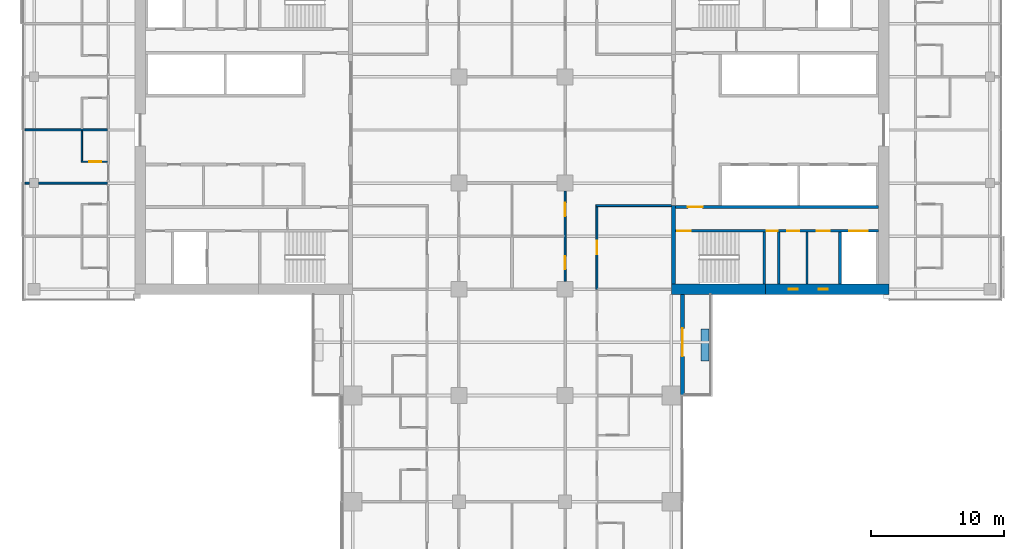
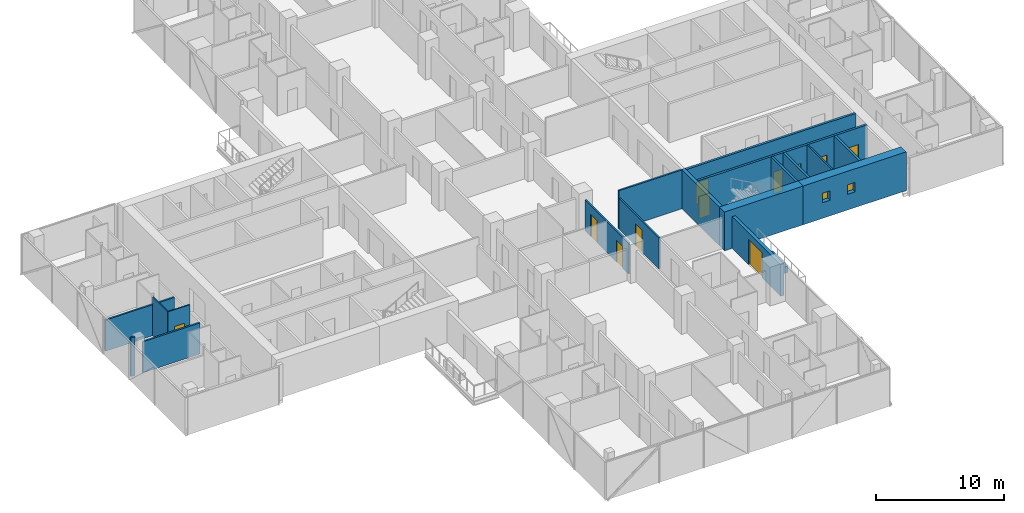
# One storey, part 17 of 27: 20 walls, 11 doors, 2 windows, 13 openings.
"""IFC4 building model written with IfcOpenShell, lengths in metres."""

from ifc_helpers import new_model, si_unit, direction, frame, frame_2d, origin, place, context, subcontext, project, spatial, rectangle, extrude, material, layer, layer_set, constituent, constituent_set, type_object, element, fill, save


model = new_model("IFC4")

# Units and contexts
model_context = context("Model", 3, precision=1e-05, world=origin(), true_north=direction((0.0, 1.0)))
body_context = subcontext(model_context, "Body", "Model", "MODEL_VIEW")
ifc_project = project(units=[si_unit("LENGTHUNIT", "METRE"), si_unit("AREAUNIT", "SQUARE_METRE"), si_unit("VOLUMEUNIT", "CUBIC_METRE"), si_unit("PLANEANGLEUNIT", "RADIAN"), si_unit("MASSUNIT", "GRAM", prefix="KILO")], contexts=[model_context])

# Site, building, storey
site_placement = place(None, origin())
site = spatial("IfcSite", under=ifc_project, at=site_placement, CompositionType="ELEMENT")
building_placement = place(site_placement, origin())
building = spatial("IfcBuilding", under=site, at=building_placement, Name="Crosswind Convention Tower", CompositionType="ELEMENT")
storey_placement = place(building_placement, frame((0.0, 0.0, 72.0)))
storey = spatial("IfcBuildingStorey", under=building, at=storey_placement, Name="L12", CompositionType="ELEMENT", Elevation=72.0)

# Walls
ifc_material_1 = material(Name="Concrete blockwork", Category="masonry")
ifc_layer_1 = layer(ifc_material_1, 0.199951171875)
ifc_layer_set_1 = layer_set([ifc_layer_1], Name="Blockwork partition wall 200")
wall_type_1 = type_object("IfcWallType", Name="Blockwork partition wall 200", PredefinedType="PARTITIONING", material=ifc_layer_set_1)
wall_1_placement = place(storey_placement, frame((145.10009765625, 88.39990234375, 0.0), z_axis=(0.0, 0.0, 1.0), x_axis=(0.0, 1.0, 0.0)))
element("IfcWall", 1, at=wall_1_placement, inside=storey, type_object=wall_type_1, Name="Wall MRSE E L12", PredefinedType="PARTITIONING", context=body_context, shape_type="SweptSolid", body=[
    extrude(rectangle(XDim=3.900146484375, YDim=0.199951171875, at=frame_2d((1.9501953125, 0.0))), origin(), (0.0, 0.0, 1.0), 3.699951171875),
])
ifc_material_2 = material(Name="Plasterboard partition", Category="gypsum")
ifc_layer_2 = layer(ifc_material_2, 0.14990234375)
ifc_layer_set_2 = layer_set([ifc_layer_2], Name="CORRIDOR WALL 150")
wall_type_2 = type_object("IfcWallType", Name="CORRIDOR WALL 150", PredefinedType="PARTITIONING", material=ifc_layer_set_2)
wall_2_placement = place(storey_placement, frame((131.324951171875, 94.300048828125, 0.0), z_axis=(0.0, 0.0, 1.0), x_axis=(1.0, 0.0, 0.0)))
element("IfcWall", 2, at=wall_2_placement, inside=storey, type_object=wall_type_2, Name="Corridor Wall 26", PredefinedType="PARTITIONING", context=body_context, shape_type="SweptSolid", body=[
    extrude(rectangle(XDim=5.675048828125, YDim=0.14990234375, at=frame_2d((2.83740234375, 0.0))), origin(), (0.0, 0.0, 1.0), 3.699951171875),
])

# Wall, openings, doors
wall_3_placement = place(storey_placement, frame((129.0, 88.60009765625, 0.0), z_axis=(0.0, 0.0, 1.0), x_axis=(0.0, 1.0, 0.0)))
wall_3 = element("IfcWall", 3, at=wall_3_placement, inside=storey, type_object=wall_type_2, Name="Corridor Wall 108", PredefinedType="PARTITIONING", context=body_context, shape_type="SweptSolid", body=[
    extrude(rectangle(XDim=6.7998046875, YDim=0.14990234375, at=frame_2d((3.39990234375, 0.0))), origin(), (0.0, 0.0, 1.0), 2.959716796875),
])
opening_1_placement = place(wall_3_placement, frame((0.89990234375, 0.0, 0.0)))
opening_1 = element("IfcOpeningElement", 4, at=opening_1_placement, cuts=wall_3, Name="Opening 12.062", PredefinedType="OPENING", context=body_context, shape_type="SweptSolid", body=[
    extrude(rectangle(XDim=1.0, YDim=2.10009765625, at=frame_2d((0.5, 1.050048828125))), frame((0.0, 0.0849609375, 0.0), z_axis=(0.0, -1.0, 0.0), x_axis=(1.0, 0.0, 0.0)), (0.0, 0.0, 1.0), 0.169921875),
])
opening_2_placement = place(wall_3_placement, frame((4.89990234375, 0.0, 0.0)))
opening_2 = element("IfcOpeningElement", 5, at=opening_2_placement, cuts=wall_3, Name="Opening 12.063", PredefinedType="OPENING", context=body_context, shape_type="SweptSolid", body=[
    extrude(rectangle(XDim=1.0, YDim=2.10009765625, at=frame_2d((0.5, 1.050048828125))), frame((0.0, 0.0849609375, 0.0), z_axis=(0.0, -1.0, 0.0), x_axis=(1.0, 0.0, 0.0)), (0.0, 0.0, 1.0), 0.169921875),
])
ifc_material_3 = material(Name="Timber fire door", Category="wood")
door_type_1 = type_object("IfcDoorType", Name="SERVICE ROOM DOOR 1000X2100", OperationType="NOTDEFINED", PredefinedType="DOOR", material=ifc_material_3)
door_1_placement = place(opening_1_placement, origin())
door_1 = element("IfcDoor", 6, at=door_1_placement, inside=storey, type_object=door_type_1, Name="Door 12.062", ObjectType="D3", OperationType="SINGLE_SWING_LEFT", OverallHeight=2.10009765625, OverallWidth=1.0, PredefinedType="DOOR", context=body_context, shape_type="SweptSolid", body=[
    extrude(rectangle(XDim=1.0, YDim=2.10009765625, at=frame_2d((0.5, 1.050048828125))), frame((0.0, 0.02490234375, 0.0), z_axis=(0.0, -1.0, 0.0), x_axis=(1.0, 0.0, 0.0)), (0.0, 0.0, 1.0), 0.050048828125),
])
fill(opening_1, door_1)
door_2_placement = place(opening_2_placement, origin())
door_2 = element("IfcDoor", 7, at=door_2_placement, inside=storey, type_object=door_type_1, Name="Door 12.063", ObjectType="D3", OperationType="SINGLE_SWING_RIGHT", OverallHeight=2.10009765625, OverallWidth=1.0, PredefinedType="DOOR", context=body_context, shape_type="SweptSolid", body=[
    extrude(rectangle(XDim=1.0, YDim=2.10009765625, at=frame_2d((0.5, 1.050048828125))), frame((0.0, 0.02490234375, 0.0), z_axis=(0.0, -1.0, 0.0), x_axis=(1.0, 0.0, 0.0)), (0.0, 0.0, 1.0), 0.050048828125),
])
fill(opening_2, door_2)

# Wall, opening, door
wall_4_placement = place(storey_placement, frame((131.39990234375, 88.0, 0.0), z_axis=(0.0, 0.0, 1.0), x_axis=(0.0, 1.0, 0.0)))
wall_4 = element("IfcWall", 8, at=wall_4_placement, inside=storey, type_object=wall_type_2, Name="Corridor Wall 116", PredefinedType="PARTITIONING", context=body_context, shape_type="SweptSolid", body=[
    extrude(rectangle(XDim=6.22509765625, YDim=0.14990234375, at=frame_2d((3.112548828125, 0.0))), origin(), (0.0, 0.0, 1.0), 2.956298828125),
])
opening_3_placement = place(wall_4_placement, frame((2.64990234375, 0.0, 0.0)))
opening_3 = element("IfcOpeningElement", 9, at=opening_3_placement, cuts=wall_4, Name="Opening 12.002", PredefinedType="OPENING", context=body_context, shape_type="SweptSolid", body=[
    extrude(rectangle(XDim=1.0, YDim=2.10009765625, at=frame_2d((0.5, 1.050048828125))), frame((0.0, 0.0849609375, 0.0), z_axis=(0.0, -1.0, 0.0), x_axis=(1.0, 0.0, 0.0)), (0.0, 0.0, 1.0), 0.169921875),
])
door_3_placement = place(opening_3_placement, frame((1.0, 0.0, 0.0), z_axis=(0.0, 0.0, 1.0), x_axis=(-1.0, 0.0, 0.0)))
door_3 = element("IfcDoor", 10, at=door_3_placement, inside=storey, type_object=door_type_1, Name="Door 12.002", ObjectType="D3", OperationType="SINGLE_SWING_LEFT", OverallHeight=2.10009765625, OverallWidth=1.0, PredefinedType="DOOR", context=body_context, shape_type="SweptSolid", body=[
    extrude(rectangle(XDim=1.0, YDim=2.10009765625, at=frame_2d((0.5, 1.050048828125))), frame((0.0, 0.02490234375, 0.0), z_axis=(0.0, -1.0, 0.0), x_axis=(1.0, 0.0, 0.0)), (0.0, 0.0, 1.0), 0.050048828125),
])
fill(opening_3, door_3)

# Wall
ifc_material_4 = material(Name="Concrete C50/60", Category="concrete")
ifc_layer_3 = layer(ifc_material_4, 0.300048828125)
ifc_layer_set_3 = layer_set([ifc_layer_3], Name="Concrete C50/60")
wall_type_3 = type_object("IfcWallType", Name="Concrete inner core wall 300", PredefinedType="SHEAR", material=ifc_layer_set_3)
wall_5_placement = place(storey_placement, frame((137.14990234375, 88.39990234375, 0.0), z_axis=(0.0, 0.0, 1.0), x_axis=(0.0, 1.0, 0.0)))
element("IfcWall", 11, at=wall_5_placement, inside=storey, type_object=wall_type_3, Name="Wall EM E L12", PredefinedType="SHEAR", context=body_context, shape_type="SweptSolid", body=[
    extrude(rectangle(XDim=5.900146484375, YDim=0.300048828125, at=frame_2d((2.9501953125, 0.0))), origin(), (0.0, 0.0, 1.0), 3.699951171875),
])

# Wall, opening, door
ifc_layer_4 = layer(ifc_material_4, 0.199951171875)
ifc_layer_set_4 = layer_set([ifc_layer_4], Name="Concrete C50/60")
wall_type_4 = type_object("IfcWallType", Name="Concrete shaft and stair wall 200", PredefinedType="SHEAR", material=ifc_layer_set_4)
wall_6_placement = place(storey_placement, frame((137.300048828125, 94.199951171875, 0.0), z_axis=(0.0, 0.0, 1.0), x_axis=(1.0, 0.0, 0.0)))
wall_6 = element("IfcWall", 12, at=wall_6_placement, inside=storey, type_object=wall_type_4, Name="Wall HM E L12", PredefinedType="SHEAR", context=body_context, shape_type="SweptSolid", body=[
    extrude(rectangle(XDim=15.300048828125, YDim=0.199951171875, at=frame_2d((7.64990234375, 0.0))), origin(), (0.0, 0.0, 1.0), 3.699951171875),
])
opening_4_placement = place(wall_6_placement, frame((0.949951171875, 0.0, 0.0)))
opening_4 = element("IfcOpeningElement", 13, at=opening_4_placement, cuts=wall_6, Name="Opening D104", PredefinedType="OPENING", context=body_context, shape_type="SweptSolid", body=[
    extrude(rectangle(XDim=1.10009765625, YDim=2.10009765625, at=frame_2d((0.550048828125, 1.050048828125))), frame((0.0, 0.10986328125, 0.0), z_axis=(0.0, -1.0, 0.0), x_axis=(1.0, 0.0, 0.0)), (0.0, 0.0, 1.0), 0.219970703125),
])
ifc_material_5 = material(Name="Steel fire door", Category="steel")
door_type_2 = type_object("IfcDoorType", Name="Fire-rated single door 1100x2100", OperationType="NOTDEFINED", PredefinedType="DOOR", material=ifc_material_5)
door_4_placement = place(opening_4_placement, origin())
door_4 = element("IfcDoor", 14, at=door_4_placement, inside=storey, type_object=door_type_2, Name="Corridor door L12", ObjectType="D104", OperationType="SINGLE_SWING_LEFT", OverallHeight=2.10009765625, OverallWidth=1.10009765625, PredefinedType="DOOR", context=body_context, shape_type="SweptSolid", body=[
    extrude(rectangle(XDim=1.10009765625, YDim=2.10009765625, at=frame_2d((0.550048828125, 1.050048828125))), frame((0.0, 0.02490234375, 0.0), z_axis=(0.0, -1.0, 0.0), x_axis=(1.0, 0.0, 0.0)), (0.0, 0.0, 1.0), 0.050048828125),
])
fill(opening_4, door_4)

# Walls
for number, where, z_axis, x_axis, name in (
    (15, (144.0, 88.39990234375, 0.0), (0.0, 0.0, 1.0), (0.0, 1.0, 0.0), "Wall MSE E L12"),
    (16, (149.699951171875, 88.39990234375, 0.0), (0.0, 0.0, 1.0), (0.0, 1.0, 0.0), "Wall MFSW E L12"),
):
    element("IfcWall", number, at=place(storey_placement, frame(where, z_axis=z_axis, x_axis=x_axis)), inside=storey, type_object=wall_type_4, Name=name, PredefinedType="SHEAR", context=body_context, shape_type="SweptSolid", body=[
        extrude(rectangle(XDim=3.900146484375, YDim=0.199951171875, at=frame_2d((1.9501953125, 0.0))), origin(), (0.0, 0.0, 1.0), 3.699951171875),
    ])

# Wall, opening, door
wall_7_placement = place(storey_placement, frame((137.300048828125, 92.39990234375, 0.0), z_axis=(0.0, 0.0, 1.0), x_axis=(1.0, 0.0, 0.0)))
wall_7 = element("IfcWall", 17, at=wall_7_placement, inside=storey, type_object=wall_type_4, Name="Wall MCW E L12", PredefinedType="SHEAR", context=body_context, shape_type="SweptSolid", body=[
    extrude(rectangle(XDim=6.800048828125, YDim=0.199951171875, at=frame_2d((3.39990234375, 0.0))), origin(), (0.0, 0.0, 1.0), 3.699951171875),
])
opening_5_placement = place(wall_7_placement, frame((0.14990234375, 0.0, 0.0)))
opening_5 = element("IfcOpeningElement", 18, at=opening_5_placement, cuts=wall_7, Name="Opening D103", PredefinedType="OPENING", context=body_context, shape_type="SweptSolid", body=[
    extrude(rectangle(XDim=1.0, YDim=2.10009765625, at=frame_2d((0.5, 1.050048828125))), frame((0.0, 0.10986328125, 0.0), z_axis=(0.0, -1.0, 0.0), x_axis=(1.0, 0.0, 0.0)), (0.0, 0.0, 1.0), 0.219970703125),
])
door_type_3 = type_object("IfcDoorType", Name="Fire-rated single door 1000x2100", OperationType="NOTDEFINED", PredefinedType="DOOR", material=ifc_material_5)
door_5_placement = place(opening_5_placement, frame((1.0, 0.0, 0.0), z_axis=(0.0, 0.0, 1.0), x_axis=(-1.0, 0.0, 0.0)))
door_5 = element("IfcDoor", 19, at=door_5_placement, inside=storey, type_object=door_type_3, Name="Stair ST2 door L12", ObjectType="D103", OperationType="SINGLE_SWING_RIGHT", OverallHeight=2.10009765625, OverallWidth=1.0, PredefinedType="DOOR", context=body_context, shape_type="SweptSolid", body=[
    extrude(rectangle(XDim=1.0, YDim=2.10009765625, at=frame_2d((0.5, 1.050048828125))), frame((0.0, 0.02490234375, 0.0), z_axis=(0.0, -1.0, 0.0), x_axis=(1.0, 0.0, 0.0)), (0.0, 0.0, 1.0), 0.050048828125),
])
fill(opening_5, door_5)

# Wall, openings, doors
wall_8_placement = place(storey_placement, frame((144.10009765625, 92.39990234375, 0.0), z_axis=(0.0, 0.0, 1.0), x_axis=(1.0, 0.0, 0.0)))
wall_8 = element("IfcWall", 20, at=wall_8_placement, inside=storey, type_object=wall_type_4, Name="Wall MCX E L12", PredefinedType="SHEAR", context=body_context, shape_type="SweptSolid", body=[
    extrude(rectangle(XDim=8.5, YDim=0.199951171875, at=frame_2d((4.25, 0.0))), origin(), (0.0, 0.0, 1.0), 3.699951171875),
])
opening_6_placement = place(wall_8_placement, frame((0.10009765625, 0.0, 0.0)))
opening_6 = element("IfcOpeningElement", 21, at=opening_6_placement, cuts=wall_8, Name="Opening D105", PredefinedType="OPENING", context=body_context, shape_type="SweptSolid", body=[
    extrude(rectangle(XDim=0.800048828125, YDim=2.10009765625, at=frame_2d((0.39990234375, 1.050048828125))), frame((0.0, 0.10986328125, 0.0), z_axis=(0.0, -1.0, 0.0), x_axis=(1.0, 0.0, 0.0)), (0.0, 0.0, 1.0), 0.219970703125),
])
opening_7_placement = place(wall_8_placement, frame((1.630859375, 0.0, 0.0)))
opening_7 = element("IfcOpeningElement", 22, at=opening_7_placement, cuts=wall_8, Name="Opening D106", PredefinedType="OPENING", context=body_context, shape_type="SweptSolid", body=[
    extrude(rectangle(XDim=0.89990234375, YDim=2.10009765625, at=frame_2d((0.449951171875, 1.050048828125))), frame((0.0, 0.10986328125, 0.0), z_axis=(0.0, -1.0, 0.0), x_axis=(1.0, 0.0, 0.0)), (0.0, 0.0, 1.0), 0.219970703125),
])
opening_8_placement = place(wall_8_placement, frame((3.84326171875, 0.0, 0.0)))
opening_8 = element("IfcOpeningElement", 23, at=opening_8_placement, cuts=wall_8, Name="Opening D103", PredefinedType="OPENING", context=body_context, shape_type="SweptSolid", body=[
    extrude(rectangle(XDim=1.0, YDim=2.10009765625, at=frame_2d((0.5, 1.050048828125))), frame((0.0, 0.10986328125, 0.0), z_axis=(0.0, -1.0, 0.0), x_axis=(1.0, 0.0, 0.0)), (0.0, 0.0, 1.0), 0.219970703125),
])
opening_9_placement = place(wall_8_placement, frame((6.300048828125, 0.0, 0.0)))
opening_9 = element("IfcOpeningElement", 24, at=opening_9_placement, cuts=wall_8, Name="Opening LD2", PredefinedType="OPENING", context=body_context, shape_type="SweptSolid", body=[
    extrude(rectangle(XDim=1.39990234375, YDim=2.10009765625, at=frame_2d((0.699951171875, 1.050048828125))), frame((0.0, 0.10986328125, 0.0), z_axis=(0.0, -1.0, 0.0), x_axis=(1.0, 0.0, 0.0)), (0.0, 0.0, 1.0), 0.219970703125),
])
door_6_placement = place(opening_8_placement, frame((1.0, 0.0, 0.0), z_axis=(0.0, 0.0, 1.0), x_axis=(-1.0, 0.0, 0.0)))
door_6 = element("IfcDoor", 25, at=door_6_placement, inside=storey, type_object=door_type_3, Name="Door to accessible wc L12", ObjectType="D103", OperationType="SINGLE_SWING_LEFT", OverallHeight=2.10009765625, OverallWidth=1.0, PredefinedType="DOOR", context=body_context, shape_type="SweptSolid", body=[
    extrude(rectangle(XDim=1.0, YDim=2.10009765625, at=frame_2d((0.5, 1.050048828125))), frame((0.0, 0.02490234375, 0.0), z_axis=(0.0, -1.0, 0.0), x_axis=(1.0, 0.0, 0.0)), (0.0, 0.0, 1.0), 0.050048828125),
])
fill(opening_8, door_6)
ifc_material_6 = material(Name="Stainless steel", Category="steel")
door_type_4 = type_object("IfcDoorType", Name="Lift landing door 1400x2100", OperationType="DOUBLE_DOOR_SLIDING", PredefinedType="DOOR", material=ifc_material_6)
door_7_placement = place(opening_9_placement, origin())
door_7 = element("IfcDoor", 26, at=door_7_placement, inside=storey, type_object=door_type_4, Name="Landing door SV1 L12", ObjectType="LD2", OperationType="DOUBLE_DOOR_SLIDING", OverallHeight=2.10009765625, OverallWidth=1.39990234375, PredefinedType="DOOR", context=body_context, shape_type="SweptSolid", body=[
    extrude(rectangle(XDim=1.39990234375, YDim=2.10009765625, at=frame_2d((0.699951171875, 1.050048828125))), frame((0.0, 0.02490234375, 0.0), z_axis=(0.0, -1.0, 0.0), x_axis=(1.0, 0.0, 0.0)), (0.0, 0.0, 1.0), 0.050048828125),
])
fill(opening_9, door_7)
door_type_5 = type_object("IfcDoorType", Name="Riser access door 800x2100", OperationType="NOTDEFINED", PredefinedType="DOOR", material=ifc_material_5)
door_8_placement = place(opening_6_placement, frame((0.800048828125, 0.0, 0.0), z_axis=(0.0, 0.0, 1.0), x_axis=(-1.0, 0.0, 0.0)))
door_8 = element("IfcDoor", 27, at=door_8_placement, inside=storey, type_object=door_type_5, Name="Riser door L12", ObjectType="D105", OperationType="SINGLE_SWING_LEFT", OverallHeight=2.10009765625, OverallWidth=0.800048828125, PredefinedType="DOOR", context=body_context, shape_type="SweptSolid", body=[
    extrude(rectangle(XDim=0.800048828125, YDim=2.10009765625, at=frame_2d((0.39990234375, 1.050048828125))), frame((0.0, 0.02490234375, 0.0), z_axis=(0.0, -1.0, 0.0), x_axis=(1.0, 0.0, 0.0)), (0.0, 0.0, 1.0), 0.050048828125),
])
fill(opening_6, door_8)
ifc_material_7 = material(Name="Timber door", Category="wood")
door_type_6 = type_object("IfcDoorType", Name="Single leaf door 900x2100", OperationType="NOTDEFINED", PredefinedType="DOOR", material=ifc_material_7)
door_9_placement = place(opening_7_placement, frame((0.89990234375, 0.0, 0.0), z_axis=(0.0, 0.0, 1.0), x_axis=(-1.0, 0.0, 0.0)))
door_9 = element("IfcDoor", 28, at=door_9_placement, inside=storey, type_object=door_type_6, Name="Door to wc L12", ObjectType="D106", OperationType="SINGLE_SWING_LEFT", OverallHeight=2.10009765625, OverallWidth=0.89990234375, PredefinedType="DOOR", context=body_context, shape_type="SweptSolid", body=[
    extrude(rectangle(XDim=0.89990234375, YDim=2.10009765625, at=frame_2d((0.449951171875, 1.050048828125))), frame((0.0, 0.02490234375, 0.0), z_axis=(0.0, -1.0, 0.0), x_axis=(1.0, 0.0, 0.0)), (0.0, 0.0, 1.0), 0.050048828125),
])
fill(opening_7, door_9)

# Walls
ifc_material_8 = material(Name="Gypsum plasterboard partition", Category="gypsum")
ifc_layer_5 = layer(ifc_material_8, 0.125)
ifc_layer_set_5 = layer_set([ifc_layer_5], Name="Drywall partition wall 125")
wall_type_5 = type_object("IfcWallType", Name="Drywall partition wall 125", PredefinedType="PARTITIONING", material=ifc_layer_set_5)
wall_9_placement = place(storey_placement, frame((147.22412109375, 88.39990234375, 0.0), z_axis=(0.0, 0.0, 1.0), x_axis=(0.0, 1.0, 0.0)))
element("IfcWall", 29, at=wall_9_placement, inside=storey, type_object=wall_type_5, Name="Wall MWP1 E L12", PredefinedType="PARTITIONING", context=body_context, shape_type="SweptSolid", body=[
    extrude(rectangle(XDim=3.900146484375, YDim=0.125, at=frame_2d((1.9501953125, 0.0))), origin(), (0.0, 0.0, 1.0), 3.699951171875),
])
ifc_material_9 = material(Name="Acoustic plasterboard partition", Category="gypsum")
ifc_layer_6 = layer(ifc_material_9, 0.14990234375)
ifc_layer_set_6 = layer_set([ifc_layer_6], Name="GUEST ROOM WALL 150")
wall_type_6 = type_object("IfcWallType", Name="GUEST ROOM WALL 150", PredefinedType="PARTITIONING", material=ifc_layer_set_6)
wall_10_placement = place(storey_placement, frame((88.300048828125, 96.0, 0.0), z_axis=(0.0, 0.0, 1.0), x_axis=(1.0, 0.0, 0.0)))
element("IfcWall", 30, at=wall_10_placement, inside=storey, type_object=wall_type_6, Name="Guest Room Wall 29", PredefinedType="PARTITIONING", context=body_context, shape_type="SweptSolid", body=[
    extrude(rectangle(XDim=0.349853515625, YDim=0.14990234375, at=frame_2d((0.1748046875, 0.0))), origin(), (0.0, 0.0, 1.0), 3.699951171875),
])
wall_11_placement = place(storey_placement, frame((89.35009765625, 96.0, 0.0), z_axis=(0.0, 0.0, 1.0), x_axis=(1.0, 0.0, 0.0)))
element("IfcWall", 31, at=wall_11_placement, inside=storey, type_object=wall_type_6, Name="Guest Room Wall 30", PredefinedType="PARTITIONING", context=body_context, shape_type="SweptSolid", body=[
    extrude(rectangle(XDim=5.1748046875, YDim=0.14990234375, at=frame_2d((2.58740234375, 0.0))), origin(), (0.0, 0.0, 1.0), 2.956298828125),
])
wall_12_placement = place(storey_placement, frame((88.300048828125, 100.0, 0.0), z_axis=(0.0, 0.0, 1.0), x_axis=(1.0, 0.0, 0.0)))
element("IfcWall", 32, at=wall_12_placement, inside=storey, type_object=wall_type_6, Name="Guest Room Wall 35", PredefinedType="PARTITIONING", context=body_context, shape_type="SweptSolid", body=[
    extrude(rectangle(XDim=6.224853515625, YDim=0.14990234375, at=frame_2d((3.1123046875, 0.0))), origin(), (0.0, 0.0, 1.0), 2.962890625),
])
ifc_material_10 = material(Name="Concrete C30/37", Category="concrete")
ifc_layer_7 = layer(ifc_material_10, 0.60009765625)
ifc_layer_set_7 = layer_set([ifc_layer_7], Name="Concrete C30/37")
wall_type_7 = type_object("IfcWallType", Name="PLANTER BOX WALL 600", PredefinedType="SOLIDWALL", material=ifc_layer_set_7)
wall_13_placement = place(storey_placement, frame((139.550048828125, 82.60009765625, 0.0), z_axis=(0.0, 0.0, 1.0), x_axis=(0.0, 1.0, 0.0)))
element("IfcWall", 33, at=wall_13_placement, inside=storey, type_object=wall_type_7, Name="PLANTER L12 S-E.1-3", PredefinedType="SOLIDWALL", context=body_context, shape_type="SweptSolid", body=[
    extrude(rectangle(XDim=2.39990234375, YDim=0.60009765625, at=frame_2d((1.199951171875, 0.0))), origin(), (0.0, 0.0, 1.0), 0.60009765625),
])

# Wall, opening, door
ifc_material_11 = material(Name="Terracotta rainscreen", Category="ceramic")
ifc_layer_8 = layer(ifc_material_11, 0.02001953125)
ifc_material_12 = material(Name="Mineral wool insulation", Category="insulation")
ifc_layer_9 = layer(ifc_material_12, 0.10009765625)
ifc_layer_10 = layer(ifc_material_1, 0.179931640625)
ifc_layer_set_8 = layer_set([ifc_layer_8, ifc_layer_9, ifc_layer_10], Name="TERRACOTTA INFILL WALL 300")
wall_type_8 = type_object("IfcWallType", Name="TERRACOTTA INFILL WALL 300", PredefinedType="SOLIDWALL", material=ifc_layer_set_8)
wall_14_placement = place(storey_placement, frame((137.85009765625, 80.032470703125, 0.0), z_axis=(0.0, 0.0, 1.0), x_axis=(0.0, 1.0, 0.0)))
wall_14 = element("IfcWall", 34, at=wall_14_placement, inside=storey, type_object=wall_type_8, Name="Notch front wall L12 S-E.1-3", PredefinedType="SOLIDWALL", context=body_context, shape_type="SweptSolid", body=[
    extrude(rectangle(XDim=7.567626953125, YDim=0.300048828125, at=frame_2d((3.78369140625, 0.0))), origin(), (0.0, 0.0, 1.0), 3.013671875),
])
opening_10_placement = place(wall_14_placement, frame((2.91748046875, 0.0, 0.0)))
opening_10 = element("IfcOpeningElement", 35, at=opening_10_placement, cuts=wall_14, Name="Opening D141", PredefinedType="OPENING", context=body_context, shape_type="SweptSolid", body=[
    extrude(rectangle(XDim=2.10009765625, YDim=2.39990234375, at=frame_2d((1.050048828125, 1.199951171875))), frame((0.0, 0.159912109375, 0.0), z_axis=(0.0, -1.0, 0.0), x_axis=(1.0, 0.0, 0.0)), (0.0, 0.0, 1.0), 0.320068359375),
])
ifc_material_13 = material(Name="Aluminium glazed door", Category="aluminium")
door_type_7 = type_object("IfcDoorType", Name="BALCONY SLIDING DOOR 2100X2400", OperationType="SLIDING_TO_LEFT", PredefinedType="DOOR", material=ifc_material_13)
door_10_placement = place(opening_10_placement, frame((2.10009765625, 0.0, 0.0), z_axis=(0.0, 0.0, 1.0), x_axis=(-1.0, 0.0, 0.0)))
door_10 = element("IfcDoor", 36, at=door_10_placement, inside=storey, type_object=door_type_7, Name="D141 balcony door L12 S-E.1-3", ObjectType="D141", OperationType="SLIDING_TO_LEFT", OverallHeight=2.39990234375, OverallWidth=2.10009765625, PredefinedType="DOOR", context=body_context, shape_type="SweptSolid", body=[
    extrude(rectangle(XDim=2.10009765625, YDim=2.39990234375, at=frame_2d((1.050048828125, 1.199951171875))), frame((0.0, 0.02490234375, 0.0), z_axis=(0.0, -1.0, 0.0), x_axis=(1.0, 0.0, 0.0)), (0.0, 0.0, 1.0), 0.050048828125),
])
fill(opening_10, door_10)

# Wall
ifc_material_14 = material(Name="Concrete C60/75", Category="concrete")
ifc_constituent_1 = constituent(ifc_material_14, Name="Structure")
ifc_constituent_2 = constituent(ifc_material_11, Name="Facing")
ifc_constituent_set = constituent_set(constituents=[ifc_constituent_1, ifc_constituent_2], Name="Concrete C60/75, Terracotta rainscreen")
wall_type_9 = type_object("IfcWallType", Name="Terracotta rainscreen on concrete core wall 800", PredefinedType="SHEAR", material=ifc_constituent_set)
wall_15_placement = place(storey_placement, frame((137.0, 88.0, 0.0), z_axis=(0.0, 0.0, 1.0), x_axis=(1.0, 0.0, 0.0)))
element("IfcWall", 37, at=wall_15_placement, inside=storey, type_object=wall_type_9, Name="Wall S1 E L12", PredefinedType="SHEAR", context=body_context, shape_type="SweptSolid", body=[
    extrude(rectangle(XDim=7.10009765625, YDim=0.800048828125, at=frame_2d((3.550048828125, 0.0))), origin(), (0.0, 0.0, 1.0), 3.699951171875),
])

# Wall, openings, windows
wall_16_placement = place(storey_placement, frame((144.10009765625, 88.0, 0.0), z_axis=(0.0, 0.0, 1.0), x_axis=(1.0, 0.0, 0.0)))
wall_16 = element("IfcWall", 38, at=wall_16_placement, inside=storey, type_object=wall_type_9, Name="Wall S2 E L12", PredefinedType="SHEAR", context=body_context, shape_type="SweptSolid", body=[
    extrude(rectangle(XDim=9.2998046875, YDim=0.800048828125, at=frame_2d((4.64990234375, 0.0))), origin(), (0.0, 0.0, 1.0), 3.699951171875),
])
opening_11_placement = place(wall_16_placement, frame((1.730712890625, 0.0, 1.5)))
opening_11 = element("IfcOpeningElement", 39, at=opening_11_placement, cuts=wall_16, Name="Opening W2", PredefinedType="OPENING", context=body_context, shape_type="SweptSolid", body=[
    extrude(rectangle(XDim=0.699951171875, YDim=0.89990234375, at=frame_2d((0.35009765625, 0.449951171875))), frame((0.0, 0.409912109375, 0.0), z_axis=(0.0, -1.0, 0.0), x_axis=(1.0, 0.0, 0.0)), (0.0, 0.0, 1.0), 0.820068359375),
])
opening_12_placement = place(wall_16_placement, frame((3.9931640625, 0.0, 1.5)))
opening_12 = element("IfcOpeningElement", 40, at=opening_12_placement, cuts=wall_16, Name="Opening W2", PredefinedType="OPENING", context=body_context, shape_type="SweptSolid", body=[
    extrude(rectangle(XDim=0.699951171875, YDim=0.89990234375, at=frame_2d((0.35009765625, 0.449951171875))), frame((0.0, 0.409912109375, 0.0), z_axis=(0.0, -1.0, 0.0), x_axis=(1.0, 0.0, 0.0)), (0.0, 0.0, 1.0), 0.820068359375),
])
ifc_material_15 = material(Name="Obscure glass in aluminium frame", Category="aluminium")
window_type = type_object("IfcWindowType", Name="WC window 700x900", PartitioningType="SINGLE_PANEL", PredefinedType="WINDOW", material=ifc_material_15)
window_1_placement = place(opening_11_placement, origin())
window_1 = element("IfcWindow", 41, at=window_1_placement, inside=storey, type_object=window_type, Name="WC window L12", ObjectType="W2", OverallHeight=0.89990234375, OverallWidth=0.699951171875, PartitioningType="SINGLE_PANEL", PredefinedType="WINDOW", context=body_context, shape_type="SweptSolid", body=[
    extrude(rectangle(XDim=0.699951171875, YDim=0.89990234375, at=frame_2d((0.35009765625, 0.449951171875))), frame((0.0, 0.030029296875, 0.0), z_axis=(0.0, -1.0, 0.0), x_axis=(1.0, 0.0, 0.0)), (0.0, 0.0, 1.0), 0.06005859375),
])
fill(opening_11, window_1)
window_2_placement = place(opening_12_placement, origin())
window_2 = element("IfcWindow", 42, at=window_2_placement, inside=storey, type_object=window_type, Name="WC window L12", ObjectType="W2", OverallHeight=0.89990234375, OverallWidth=0.699951171875, PartitioningType="SINGLE_PANEL", PredefinedType="WINDOW", context=body_context, shape_type="SweptSolid", body=[
    extrude(rectangle(XDim=0.699951171875, YDim=0.89990234375, at=frame_2d((0.35009765625, 0.449951171875))), frame((0.0, 0.030029296875, 0.0), z_axis=(0.0, -1.0, 0.0), x_axis=(1.0, 0.0, 0.0)), (0.0, 0.0, 1.0), 0.06005859375),
])
fill(opening_12, window_2)

# Wall, opening, door
ifc_material_16 = material(Name="Water-resistant plasterboard partition", Category="gypsum")
ifc_layer_11 = layer(ifc_material_16, 0.10009765625)
ifc_layer_set_9 = layer_set([ifc_layer_11], Name="WET ROOM PARTITION 100")
wall_type_10 = type_object("IfcWallType", Name="WET ROOM PARTITION 100", PredefinedType="PLUMBINGWALL", material=ifc_layer_set_9)
wall_17_placement = place(storey_placement, frame((92.550048828125, 97.60009765625, 0.0), z_axis=(0.0, 0.0, 1.0), x_axis=(1.0, 0.0, 0.0)))
wall_17 = element("IfcWall", 43, at=wall_17_placement, inside=storey, type_object=wall_type_10, Name="Wet Room Partition 34", PredefinedType="PLUMBINGWALL", context=body_context, shape_type="SweptSolid", body=[
    extrude(rectangle(XDim=1.974853515625, YDim=0.10009765625, at=frame_2d((0.9873046875, 0.0))), origin(), (0.0, 0.0, 1.0), 3.699951171875),
])
opening_13_placement = place(wall_17_placement, frame((0.60009765625, 0.0, 0.0)))
opening_13 = element("IfcOpeningElement", 44, at=opening_13_placement, cuts=wall_17, Name="Opening 12.050", PredefinedType="OPENING", context=body_context, shape_type="SweptSolid", body=[
    extrude(rectangle(XDim=0.89990234375, YDim=2.10009765625, at=frame_2d((0.449951171875, 1.050048828125))), frame((0.0, 0.06005859375, 0.0), z_axis=(0.0, -1.0, 0.0), x_axis=(1.0, 0.0, 0.0)), (0.0, 0.0, 1.0), 0.1201171875),
])
door_type_8 = type_object("IfcDoorType", Name="EN-SUITE DOOR 900X2100", OperationType="NOTDEFINED", PredefinedType="DOOR", material=ifc_material_7)
door_11_placement = place(opening_13_placement, origin())
door_11 = element("IfcDoor", 45, at=door_11_placement, inside=storey, type_object=door_type_8, Name="Door 12.050", ObjectType="D2", OperationType="SINGLE_SWING_RIGHT", OverallHeight=2.10009765625, OverallWidth=0.89990234375, PredefinedType="DOOR", context=body_context, shape_type="SweptSolid", body=[
    extrude(rectangle(XDim=0.89990234375, YDim=2.10009765625, at=frame_2d((0.449951171875, 1.050048828125))), frame((0.0, 0.02490234375, 0.0), z_axis=(0.0, -1.0, 0.0), x_axis=(1.0, 0.0, 0.0)), (0.0, 0.0, 1.0), 0.050048828125),
])
fill(opening_13, door_11)

# Wall
wall_18_placement = place(storey_placement, frame((92.60009765625, 97.64990234375, 0.0), z_axis=(0.0, 0.0, 1.0), x_axis=(0.0, 1.0, 0.0)))
element("IfcWall", 46, at=wall_18_placement, inside=storey, type_object=wall_type_10, Name="Wet Room Partition 70", PredefinedType="PLUMBINGWALL", context=body_context, shape_type="SweptSolid", body=[
    extrude(rectangle(XDim=2.275146484375, YDim=0.10009765625, at=frame_2d((1.1376953125, 0.0))), origin(), (0.0, 0.0, 1.0), 3.699951171875),
])

save(model, "model.ifc")
